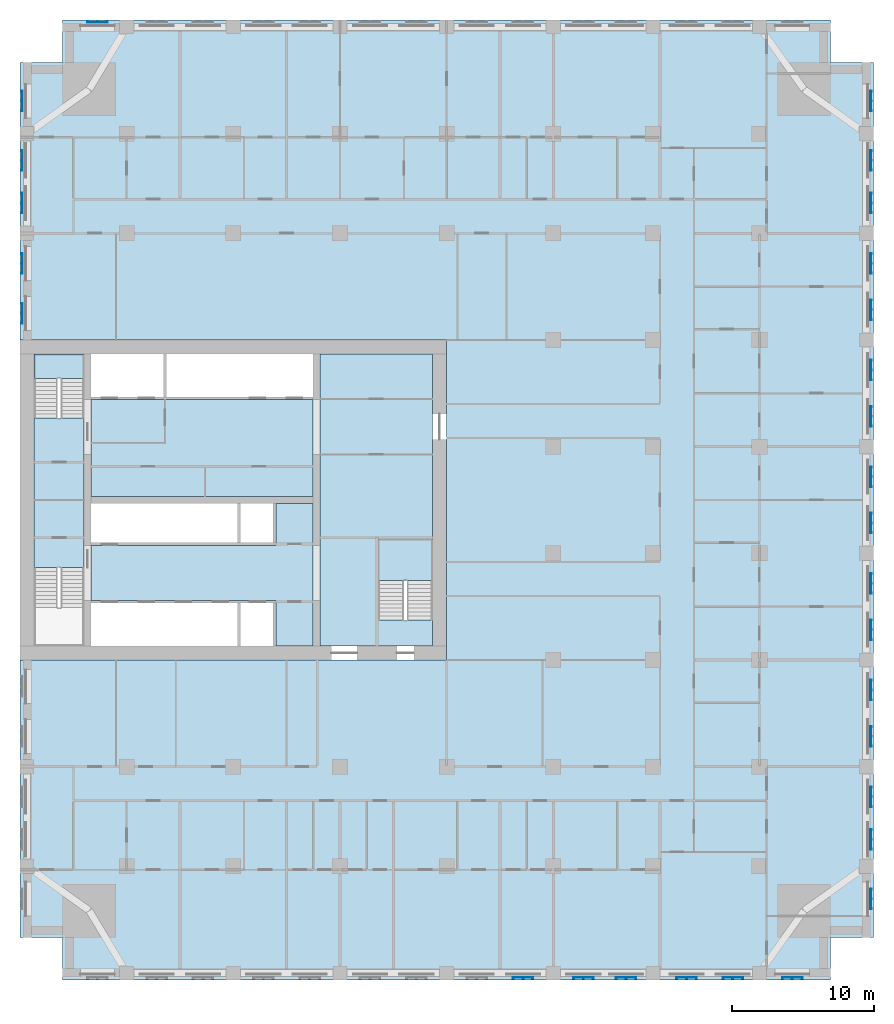
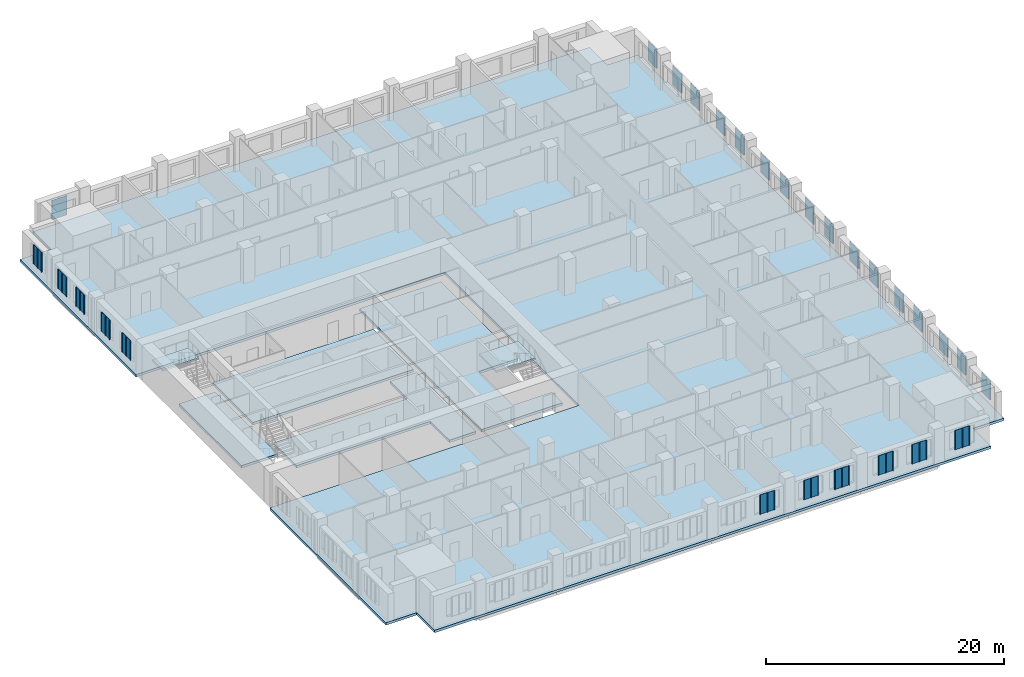
# One storey, part 2 of 14: 28 plates, 7 slabs, 2 elements without a shape of their own.
"""IFC4 building model written with IfcOpenShell, lengths in metres."""

from ifc_helpers import new_model, si_unit, direction, frame, origin, place, context, subcontext, project, spatial, polyline, outline, extrude, material, layer, layer_set, type_object, element, aggregate, save


model = new_model("IFC4")

# Units and contexts
model_context = context("Model", 3, precision=1e-05, world=origin(), true_north=direction((0.0, 1.0)))
body_context = subcontext(model_context, "Body", "Model", "MODEL_VIEW")
ifc_project = project(units=[si_unit("LENGTHUNIT", "METRE"), si_unit("AREAUNIT", "SQUARE_METRE"), si_unit("VOLUMEUNIT", "CUBIC_METRE"), si_unit("PLANEANGLEUNIT", "RADIAN"), si_unit("MASSUNIT", "GRAM", prefix="KILO")], contexts=[model_context])

# Site, building, storey
site_placement = place(None, origin())
site = spatial("IfcSite", under=ifc_project, at=site_placement, CompositionType="ELEMENT")
building_placement = place(site_placement, origin())
building = spatial("IfcBuilding", under=site, at=building_placement, Name="Tamorin Gate", CompositionType="ELEMENT")
storey_placement = place(building_placement, frame((0.0, 0.0, 104.300048828125)))
storey = spatial("IfcBuildingStorey", under=building, at=storey_placement, Name="L25", CompositionType="ELEMENT", Elevation=104.300048828125)

# Slabs
ifc_material_1 = material(Name="Concrete C40/50", Category="concrete")
ifc_layer_1 = layer(ifc_material_1, 0.25)
ifc_layer_set_1 = layer_set([ifc_layer_1], Name="Core floor slab 250 C40/50")
slab_type_1 = type_object("IfcSlabType", Name="Core floor slab 250 C40/50", PredefinedType="FLOOR", material=ifc_layer_set_1)
slab_1_placement = place(storey_placement, frame((0.0, 0.0, -0.25)))
element("IfcSlab", 1, at=slab_1_placement, inside=storey, type_object=slab_type_1, Name="Core floor L25", PredefinedType="FLOOR", context=body_context, shape_type="SweptSolid", body=[
    extrude(outline(polyline([(59.0, 62.800048828125), (59.0, 61.0), (51.10009765625, 61.0), (51.10009765625, 81.5), (59.0, 81.5), (59.0, 68.5), (55.199951171875, 68.5), (55.199951171875, 62.800048828125), (59.0, 62.800048828125)])), origin(), (0.0, 0.0, 1.0), 0.25),
])
slab_2_placement = place(storey_placement, frame((0.0, 0.0, -0.25)))
element("IfcSlab", 2, at=slab_2_placement, inside=storey, type_object=slab_type_1, Name="Core floor L25", PredefinedType="FLOOR", context=body_context, shape_type="SweptSolid", body=[
    extrude(outline(polyline([(50.60009765625, 61.0), (48.0, 61.0), (48.0, 64.199951171875), (35.0, 64.199951171875), (35.0, 68.050048828125), (48.0, 68.050048828125), (48.0, 71.0), (50.60009765625, 71.0), (50.60009765625, 61.0)])), origin(), (0.0, 0.0, 1.0), 0.25),
])
slab_3_placement = place(storey_placement, frame((0.0, 0.0, -0.25)))
element("IfcSlab", 3, at=slab_3_placement, inside=storey, type_object=slab_type_1, Name="Core floor L25", PredefinedType="FLOOR", context=body_context, shape_type="SweptSolid", body=[
    extrude(outline(polyline([(50.60009765625, 71.5), (35.0, 71.5), (35.0, 78.300048828125), (50.60009765625, 78.300048828125), (50.60009765625, 71.5)])), origin(), (0.0, 0.0, 1.0), 0.25),
])
slab_4_placement = place(storey_placement, frame((0.0, 0.0, -0.25)))
element("IfcSlab", 4, at=slab_4_placement, inside=storey, type_object=slab_type_1, Name="Core floor L25", PredefinedType="FLOOR", context=body_context, shape_type="SweptSolid", body=[
    extrude(outline(polyline([(31.0, 66.5), (31.0, 77.0), (34.5, 77.0), (34.5, 66.5), (31.0, 66.5)])), origin(), (0.0, 0.0, 1.0), 0.25),
])

# Stair, slab
stair_type = type_object("IfcStairType", Name="Exit stair", PredefinedType="HALF_TURN_STAIR", material=ifc_material_1)
stair_1_placement = place(storey_placement, origin())
stair_1 = element("IfcStair", 5, at=stair_1_placement, inside=storey, type_object=stair_type, Name="L25 stair ST2", PredefinedType="HALF_TURN_STAIR")
ifc_layer_2 = layer(ifc_material_1, 0.199951171875)
ifc_layer_set_2 = layer_set([ifc_layer_2], Name="Exit stair landing 200")
slab_type_2 = type_object("IfcSlabType", Name="Exit stair landing 200", PredefinedType="LANDING", material=ifc_layer_set_2)
slab_5_placement = place(storey_placement, frame((0.0, 0.0, 1.599853515625)))
slab_5 = element("IfcSlab", 6, at=slab_5_placement, type_object=slab_type_2, Name="ST2 landing 1", PredefinedType="LANDING", context=body_context, shape_type="SweptSolid", body=[
    extrude(outline(polyline([(34.5, 79.800048828125), (34.5, 81.5), (31.0, 81.5), (31.0, 79.800048828125), (34.5, 79.800048828125)])), origin(), (0.0, 0.0, 1.0), 0.2001953125),
])
aggregate(stair_1, [slab_5])

stair_2_placement = place(storey_placement, origin())
stair_2 = element("IfcStair", 7, at=stair_2_placement, inside=storey, type_object=stair_type, Name="L25 stair ST3", PredefinedType="HALF_TURN_STAIR")
slab_6_placement = place(storey_placement, frame((0.0, 0.0, 1.599853515625)))
slab_6 = element("IfcSlab", 8, at=slab_6_placement, type_object=slab_type_2, Name="ST3 landing 1", PredefinedType="LANDING", context=body_context, shape_type="SweptSolid", body=[
    extrude(outline(polyline([(59.0, 65.60009765625), (59.0, 68.5), (55.199951171875, 68.5), (55.199951171875, 65.60009765625), (59.0, 65.60009765625)])), origin(), (0.0, 0.0, 1.0), 0.2001953125),
])
aggregate(stair_2, [slab_6])

# Slab
ifc_layer_3 = layer(ifc_material_1, 0.25)
ifc_layer_set_3 = layer_set([ifc_layer_3], Name="Floor slab 250 C40/50")
slab_type_3 = type_object("IfcSlabType", Name="Floor slab 250 C40/50", PredefinedType="FLOOR", material=ifc_layer_set_3)
slab_7_placement = place(storey_placement, frame((0.0, 0.0, -0.25)))
element("IfcSlab", 9, at=slab_7_placement, inside=storey, type_object=slab_type_3, Name="Floor L25", PredefinedType="FLOOR", context=body_context, shape_type="SweptSolid", body=[
    extrude(outline(polyline([(30.0, 102.0), (33.0, 102.0), (33.0, 105.0), (87.0, 105.0), (87.0, 102.0), (90.0, 102.0), (90.0, 40.5), (87.0, 40.5), (87.0, 37.5), (33.0, 37.5), (33.0, 40.5), (30.0, 40.5), (30.0, 60.0), (60.0, 60.0), (60.0, 82.5), (30.0, 82.5), (30.0, 102.0)])), origin(), (0.0, 0.0, 1.0), 0.25),
])

# Plates
ifc_material_2 = material(Name="Perforated pale aluminium sheet", Category="aluminium")
ifc_layer_4 = layer(ifc_material_2, 0.0400390625)
ifc_layer_set_4 = layer_set([ifc_layer_4], Name="Pale metal solar screen 1440")
plate_type = type_object("IfcPlateType", Name="Pale metal solar screen 1440", PredefinedType="SHEET", material=ifc_layer_set_4)
plate_1_placement = place(storey_placement, frame((0.0, 0.0, 0.7099609375)))
element("IfcPlate", 10, at=plate_1_placement, inside=storey, type_object=plate_type, Name="Perforated solar screen", PredefinedType="SHEET", context=body_context, shape_type="SweptSolid", body=[
    extrude(outline(polyline([(64.655029296875, 37.659912109375), (64.655029296875, 37.699951171875), (64.715087890625, 37.699951171875), (65.344970703125, 37.699951171875), (65.405029296875, 37.699951171875), (66.034912109375, 37.699951171875), (66.094970703125, 37.699951171875), (66.094970703125, 37.659912109375), (66.094970703125, 37.60009765625), (66.034912109375, 37.60009765625), (66.034912109375, 37.659912109375), (65.405029296875, 37.659912109375), (65.405029296875, 37.60009765625), (65.344970703125, 37.60009765625), (65.344970703125, 37.659912109375), (64.715087890625, 37.659912109375), (64.715087890625, 37.60009765625), (64.655029296875, 37.60009765625), (64.655029296875, 37.659912109375)])), origin(), (0.0, 0.0, 1.0), 1.97998046875),
])
plate_2_placement = place(storey_placement, frame((0.0, 0.0, 0.7099609375)))
element("IfcPlate", 11, at=plate_2_placement, inside=storey, type_object=plate_type, Name="Perforated solar screen", PredefinedType="SHEET", context=body_context, shape_type="SweptSolid", body=[
    extrude(outline(polyline([(68.905029296875, 37.659912109375), (68.905029296875, 37.699951171875), (68.965087890625, 37.699951171875), (69.594970703125, 37.699951171875), (69.655029296875, 37.699951171875), (70.284912109375, 37.699951171875), (70.344970703125, 37.699951171875), (70.344970703125, 37.659912109375), (70.344970703125, 37.60009765625), (70.284912109375, 37.60009765625), (70.284912109375, 37.659912109375), (69.655029296875, 37.659912109375), (69.655029296875, 37.60009765625), (69.594970703125, 37.60009765625), (69.594970703125, 37.659912109375), (68.965087890625, 37.659912109375), (68.965087890625, 37.60009765625), (68.905029296875, 37.60009765625), (68.905029296875, 37.659912109375)])), origin(), (0.0, 0.0, 1.0), 1.97998046875),
])
plate_3_placement = place(storey_placement, frame((0.0, 0.0, 0.7099609375)))
element("IfcPlate", 12, at=plate_3_placement, inside=storey, type_object=plate_type, Name="Perforated solar screen", PredefinedType="SHEET", context=body_context, shape_type="SweptSolid", body=[
    extrude(outline(polyline([(71.905029296875, 37.659912109375), (71.905029296875, 37.699951171875), (71.965087890625, 37.699951171875), (72.594970703125, 37.699951171875), (72.655029296875, 37.699951171875), (73.284912109375, 37.699951171875), (73.344970703125, 37.699951171875), (73.344970703125, 37.659912109375), (73.344970703125, 37.60009765625), (73.284912109375, 37.60009765625), (73.284912109375, 37.659912109375), (72.655029296875, 37.659912109375), (72.655029296875, 37.60009765625), (72.594970703125, 37.60009765625), (72.594970703125, 37.659912109375), (71.965087890625, 37.659912109375), (71.965087890625, 37.60009765625), (71.905029296875, 37.60009765625), (71.905029296875, 37.659912109375)])), origin(), (0.0, 0.0, 1.0), 1.97998046875),
])
plate_4_placement = place(storey_placement, frame((0.0, 0.0, 0.7099609375)))
element("IfcPlate", 13, at=plate_4_placement, inside=storey, type_object=plate_type, Name="Perforated solar screen", PredefinedType="SHEET", context=body_context, shape_type="SweptSolid", body=[
    extrude(outline(polyline([(76.155029296875, 37.659912109375), (76.155029296875, 37.699951171875), (76.215087890625, 37.699951171875), (76.844970703125, 37.699951171875), (76.905029296875, 37.699951171875), (77.534912109375, 37.699951171875), (77.594970703125, 37.699951171875), (77.594970703125, 37.659912109375), (77.594970703125, 37.60009765625), (77.534912109375, 37.60009765625), (77.534912109375, 37.659912109375), (76.905029296875, 37.659912109375), (76.905029296875, 37.60009765625), (76.844970703125, 37.60009765625), (76.844970703125, 37.659912109375), (76.215087890625, 37.659912109375), (76.215087890625, 37.60009765625), (76.155029296875, 37.60009765625), (76.155029296875, 37.659912109375)])), origin(), (0.0, 0.0, 1.0), 1.97998046875),
])
plate_5_placement = place(storey_placement, frame((0.0, 0.0, 0.7099609375)))
element("IfcPlate", 14, at=plate_5_placement, inside=storey, type_object=plate_type, Name="Perforated solar screen", PredefinedType="SHEET", context=body_context, shape_type="SweptSolid", body=[
    extrude(outline(polyline([(79.405029296875, 37.659912109375), (79.405029296875, 37.699951171875), (79.465087890625, 37.699951171875), (80.094970703125, 37.699951171875), (80.155029296875, 37.699951171875), (80.784912109375, 37.699951171875), (80.844970703125, 37.699951171875), (80.844970703125, 37.659912109375), (80.844970703125, 37.60009765625), (80.784912109375, 37.60009765625), (80.784912109375, 37.659912109375), (80.155029296875, 37.659912109375), (80.155029296875, 37.60009765625), (80.094970703125, 37.60009765625), (80.094970703125, 37.659912109375), (79.465087890625, 37.659912109375), (79.465087890625, 37.60009765625), (79.405029296875, 37.60009765625), (79.405029296875, 37.659912109375)])), origin(), (0.0, 0.0, 1.0), 1.97998046875),
])
plate_6_placement = place(storey_placement, frame((0.0, 0.0, 0.7099609375)))
element("IfcPlate", 15, at=plate_6_placement, inside=storey, type_object=plate_type, Name="Perforated solar screen", PredefinedType="SHEET", context=body_context, shape_type="SweptSolid", body=[
    extrude(outline(polyline([(83.580078125, 37.659912109375), (83.580078125, 37.699951171875), (83.639892578125, 37.699951171875), (84.27001953125, 37.699951171875), (84.330078125, 37.699951171875), (84.9599609375, 37.699951171875), (85.02001953125, 37.699951171875), (85.02001953125, 37.659912109375), (85.02001953125, 37.60009765625), (84.9599609375, 37.60009765625), (84.9599609375, 37.659912109375), (84.330078125, 37.659912109375), (84.330078125, 37.60009765625), (84.27001953125, 37.60009765625), (84.27001953125, 37.659912109375), (83.639892578125, 37.659912109375), (83.639892578125, 37.60009765625), (83.580078125, 37.60009765625), (83.580078125, 37.659912109375)])), origin(), (0.0, 0.0, 1.0), 1.97998046875),
])
plate_7_placement = place(storey_placement, frame((0.0, 0.0, 0.7099609375)))
element("IfcPlate", 16, at=plate_7_placement, inside=storey, type_object=plate_type, Name="Perforated solar screen", PredefinedType="SHEET", context=body_context, shape_type="SweptSolid", body=[
    extrude(outline(polyline([(89.840087890625, 42.47998046875), (89.800048828125, 42.47998046875), (89.800048828125, 42.5400390625), (89.800048828125, 43.169921875), (89.800048828125, 43.22998046875), (89.800048828125, 43.860107421875), (89.800048828125, 43.919921875), (89.840087890625, 43.919921875), (89.89990234375, 43.919921875), (89.89990234375, 43.860107421875), (89.840087890625, 43.860107421875), (89.840087890625, 43.22998046875), (89.89990234375, 43.22998046875), (89.89990234375, 43.169921875), (89.840087890625, 43.169921875), (89.840087890625, 42.5400390625), (89.89990234375, 42.5400390625), (89.89990234375, 42.47998046875), (89.840087890625, 42.47998046875)])), origin(), (0.0, 0.0, 1.0), 1.97998046875),
])
plate_8_placement = place(storey_placement, frame((0.0, 0.0, 0.7099609375)))
element("IfcPlate", 17, at=plate_8_placement, inside=storey, type_object=plate_type, Name="Perforated solar screen", PredefinedType="SHEET", context=body_context, shape_type="SweptSolid", body=[
    extrude(outline(polyline([(89.840087890625, 46.655029296875), (89.800048828125, 46.655029296875), (89.800048828125, 46.715087890625), (89.800048828125, 47.344970703125), (89.800048828125, 47.405029296875), (89.800048828125, 48.034912109375), (89.800048828125, 48.094970703125), (89.800048828125, 48.094970703125), (89.840087890625, 48.094970703125), (89.840087890625, 48.094970703125), (89.89990234375, 48.094970703125), (89.89990234375, 48.034912109375), (89.840087890625, 48.034912109375), (89.840087890625, 47.405029296875), (89.89990234375, 47.405029296875), (89.89990234375, 47.344970703125), (89.840087890625, 47.344970703125), (89.840087890625, 46.715087890625), (89.89990234375, 46.715087890625), (89.89990234375, 46.655029296875), (89.840087890625, 46.655029296875)])), origin(), (0.0, 0.0, 1.0), 1.97998046875),
])
plate_9_placement = place(storey_placement, frame((0.0, 0.0, 0.7099609375)))
element("IfcPlate", 18, at=plate_9_placement, inside=storey, type_object=plate_type, Name="Perforated solar screen", PredefinedType="SHEET", context=body_context, shape_type="SweptSolid", body=[
    extrude(outline(polyline([(89.840087890625, 49.655029296875), (89.800048828125, 49.655029296875), (89.800048828125, 49.715087890625), (89.800048828125, 50.344970703125), (89.800048828125, 50.405029296875), (89.800048828125, 51.034912109375), (89.800048828125, 51.094970703125), (89.840087890625, 51.094970703125), (89.89990234375, 51.094970703125), (89.89990234375, 51.034912109375), (89.840087890625, 51.034912109375), (89.840087890625, 50.405029296875), (89.89990234375, 50.405029296875), (89.89990234375, 50.344970703125), (89.840087890625, 50.344970703125), (89.840087890625, 49.715087890625), (89.89990234375, 49.715087890625), (89.89990234375, 49.655029296875), (89.840087890625, 49.655029296875)])), origin(), (0.0, 0.0, 1.0), 1.97998046875),
])
plate_10_placement = place(storey_placement, frame((0.0, 0.0, 0.7099609375)))
element("IfcPlate", 19, at=plate_10_placement, inside=storey, type_object=plate_type, Name="Perforated solar screen", PredefinedType="SHEET", context=body_context, shape_type="SweptSolid", body=[
    extrude(outline(polyline([(89.840087890625, 53.905029296875), (89.800048828125, 53.905029296875), (89.800048828125, 53.965087890625), (89.800048828125, 54.594970703125), (89.800048828125, 54.655029296875), (89.800048828125, 55.284912109375), (89.800048828125, 55.344970703125), (89.840087890625, 55.344970703125), (89.89990234375, 55.344970703125), (89.89990234375, 55.284912109375), (89.840087890625, 55.284912109375), (89.840087890625, 54.655029296875), (89.89990234375, 54.655029296875), (89.89990234375, 54.594970703125), (89.840087890625, 54.594970703125), (89.840087890625, 53.965087890625), (89.89990234375, 53.965087890625), (89.89990234375, 53.905029296875), (89.840087890625, 53.905029296875)])), origin(), (0.0, 0.0, 1.0), 1.97998046875),
])
plate_11_placement = place(storey_placement, frame((0.0, 0.0, 0.7099609375)))
element("IfcPlate", 20, at=plate_11_placement, inside=storey, type_object=plate_type, Name="Perforated solar screen", PredefinedType="SHEET", context=body_context, shape_type="SweptSolid", body=[
    extrude(outline(polyline([(89.840087890625, 57.155029296875), (89.800048828125, 57.155029296875), (89.800048828125, 57.215087890625), (89.800048828125, 57.844970703125), (89.800048828125, 57.905029296875), (89.800048828125, 58.534912109375), (89.800048828125, 58.594970703125), (89.840087890625, 58.594970703125), (89.89990234375, 58.594970703125), (89.89990234375, 58.534912109375), (89.840087890625, 58.534912109375), (89.840087890625, 57.905029296875), (89.89990234375, 57.905029296875), (89.89990234375, 57.844970703125), (89.840087890625, 57.844970703125), (89.840087890625, 57.215087890625), (89.89990234375, 57.215087890625), (89.89990234375, 57.155029296875), (89.840087890625, 57.155029296875)])), origin(), (0.0, 0.0, 1.0), 1.97998046875),
])
plate_12_placement = place(storey_placement, frame((0.0, 0.0, 0.7099609375)))
element("IfcPlate", 21, at=plate_12_placement, inside=storey, type_object=plate_type, Name="Perforated solar screen", PredefinedType="SHEET", context=body_context, shape_type="SweptSolid", body=[
    extrude(outline(polyline([(89.840087890625, 61.405029296875), (89.800048828125, 61.405029296875), (89.800048828125, 61.465087890625), (89.800048828125, 62.094970703125), (89.800048828125, 62.155029296875), (89.800048828125, 62.784912109375), (89.800048828125, 62.844970703125), (89.840087890625, 62.844970703125), (89.89990234375, 62.844970703125), (89.89990234375, 62.784912109375), (89.840087890625, 62.784912109375), (89.840087890625, 62.155029296875), (89.89990234375, 62.155029296875), (89.89990234375, 62.094970703125), (89.840087890625, 62.094970703125), (89.840087890625, 61.465087890625), (89.89990234375, 61.465087890625), (89.89990234375, 61.405029296875), (89.840087890625, 61.405029296875)])), origin(), (0.0, 0.0, 1.0), 1.97998046875),
])
plate_13_placement = place(storey_placement, frame((0.0, 0.0, 0.7099609375)))
element("IfcPlate", 22, at=plate_13_placement, inside=storey, type_object=plate_type, Name="Perforated solar screen", PredefinedType="SHEET", context=body_context, shape_type="SweptSolid", body=[
    extrude(outline(polyline([(89.840087890625, 64.655029296875), (89.800048828125, 64.655029296875), (89.800048828125, 64.715087890625), (89.800048828125, 65.344970703125), (89.800048828125, 65.405029296875), (89.800048828125, 66.034912109375), (89.800048828125, 66.094970703125), (89.840087890625, 66.094970703125), (89.89990234375, 66.094970703125), (89.89990234375, 66.034912109375), (89.840087890625, 66.034912109375), (89.840087890625, 65.405029296875), (89.89990234375, 65.405029296875), (89.89990234375, 65.344970703125), (89.840087890625, 65.344970703125), (89.840087890625, 64.715087890625), (89.89990234375, 64.715087890625), (89.89990234375, 64.655029296875), (89.840087890625, 64.655029296875)])), origin(), (0.0, 0.0, 1.0), 1.97998046875),
])
plate_14_placement = place(storey_placement, frame((0.0, 0.0, 0.7099609375)))
element("IfcPlate", 23, at=plate_14_placement, inside=storey, type_object=plate_type, Name="Perforated solar screen", PredefinedType="SHEET", context=body_context, shape_type="SweptSolid", body=[
    extrude(outline(polyline([(89.840087890625, 68.905029296875), (89.800048828125, 68.905029296875), (89.800048828125, 68.965087890625), (89.800048828125, 69.594970703125), (89.800048828125, 69.655029296875), (89.800048828125, 70.284912109375), (89.800048828125, 70.344970703125), (89.840087890625, 70.344970703125), (89.89990234375, 70.344970703125), (89.89990234375, 70.284912109375), (89.840087890625, 70.284912109375), (89.840087890625, 69.655029296875), (89.89990234375, 69.655029296875), (89.89990234375, 69.594970703125), (89.840087890625, 69.594970703125), (89.840087890625, 68.965087890625), (89.89990234375, 68.965087890625), (89.89990234375, 68.905029296875), (89.840087890625, 68.905029296875)])), origin(), (0.0, 0.0, 1.0), 1.97998046875),
])
plate_15_placement = place(storey_placement, frame((0.0, 0.0, 0.7099609375)))
element("IfcPlate", 24, at=plate_15_placement, inside=storey, type_object=plate_type, Name="Perforated solar screen", PredefinedType="SHEET", context=body_context, shape_type="SweptSolid", body=[
    extrude(outline(polyline([(89.840087890625, 72.155029296875), (89.800048828125, 72.155029296875), (89.800048828125, 72.215087890625), (89.800048828125, 72.844970703125), (89.800048828125, 72.905029296875), (89.800048828125, 73.534912109375), (89.800048828125, 73.594970703125), (89.840087890625, 73.594970703125), (89.89990234375, 73.594970703125), (89.89990234375, 73.534912109375), (89.840087890625, 73.534912109375), (89.840087890625, 72.905029296875), (89.89990234375, 72.905029296875), (89.89990234375, 72.844970703125), (89.840087890625, 72.844970703125), (89.840087890625, 72.215087890625), (89.89990234375, 72.215087890625), (89.89990234375, 72.155029296875), (89.840087890625, 72.155029296875)])), origin(), (0.0, 0.0, 1.0), 1.97998046875),
])
plate_16_placement = place(storey_placement, frame((0.0, 0.0, 0.7099609375)))
element("IfcPlate", 25, at=plate_16_placement, inside=storey, type_object=plate_type, Name="Perforated solar screen", PredefinedType="SHEET", context=body_context, shape_type="SweptSolid", body=[
    extrude(outline(polyline([(89.840087890625, 76.405029296875), (89.800048828125, 76.405029296875), (89.800048828125, 76.465087890625), (89.800048828125, 77.094970703125), (89.800048828125, 77.155029296875), (89.800048828125, 77.784912109375), (89.800048828125, 77.844970703125), (89.840087890625, 77.844970703125), (89.89990234375, 77.844970703125), (89.89990234375, 77.784912109375), (89.840087890625, 77.784912109375), (89.840087890625, 77.155029296875), (89.89990234375, 77.155029296875), (89.89990234375, 77.094970703125), (89.840087890625, 77.094970703125), (89.840087890625, 76.465087890625), (89.89990234375, 76.465087890625), (89.89990234375, 76.405029296875), (89.840087890625, 76.405029296875)])), origin(), (0.0, 0.0, 1.0), 1.97998046875),
])
plate_17_placement = place(storey_placement, frame((0.0, 0.0, 0.7099609375)))
element("IfcPlate", 26, at=plate_17_placement, inside=storey, type_object=plate_type, Name="Perforated solar screen", PredefinedType="SHEET", context=body_context, shape_type="SweptSolid", body=[
    extrude(outline(polyline([(89.840087890625, 79.655029296875), (89.800048828125, 79.655029296875), (89.800048828125, 79.715087890625), (89.800048828125, 80.344970703125), (89.800048828125, 80.405029296875), (89.800048828125, 81.034912109375), (89.800048828125, 81.094970703125), (89.840087890625, 81.094970703125), (89.89990234375, 81.094970703125), (89.89990234375, 81.034912109375), (89.840087890625, 81.034912109375), (89.840087890625, 80.405029296875), (89.89990234375, 80.405029296875), (89.89990234375, 80.344970703125), (89.840087890625, 80.344970703125), (89.840087890625, 79.715087890625), (89.89990234375, 79.715087890625), (89.89990234375, 79.655029296875), (89.840087890625, 79.655029296875)])), origin(), (0.0, 0.0, 1.0), 1.97998046875),
])
plate_18_placement = place(storey_placement, frame((0.0, 0.0, 0.7099609375)))
element("IfcPlate", 27, at=plate_18_placement, inside=storey, type_object=plate_type, Name="Perforated solar screen", PredefinedType="SHEET", context=body_context, shape_type="SweptSolid", body=[
    extrude(outline(polyline([(89.840087890625, 83.905029296875), (89.800048828125, 83.905029296875), (89.800048828125, 83.965087890625), (89.800048828125, 84.594970703125), (89.800048828125, 84.655029296875), (89.800048828125, 85.284912109375), (89.800048828125, 85.344970703125), (89.840087890625, 85.344970703125), (89.89990234375, 85.344970703125), (89.89990234375, 85.284912109375), (89.840087890625, 85.284912109375), (89.840087890625, 84.655029296875), (89.89990234375, 84.655029296875), (89.89990234375, 84.594970703125), (89.840087890625, 84.594970703125), (89.840087890625, 83.965087890625), (89.89990234375, 83.965087890625), (89.89990234375, 83.905029296875), (89.840087890625, 83.905029296875)])), origin(), (0.0, 0.0, 1.0), 1.97998046875),
])
plate_19_placement = place(storey_placement, frame((0.0, 0.0, 0.7099609375)))
element("IfcPlate", 28, at=plate_19_placement, inside=storey, type_object=plate_type, Name="Perforated solar screen", PredefinedType="SHEET", context=body_context, shape_type="SweptSolid", body=[
    extrude(outline(polyline([(89.840087890625, 87.155029296875), (89.800048828125, 87.155029296875), (89.800048828125, 87.215087890625), (89.800048828125, 87.844970703125), (89.800048828125, 87.905029296875), (89.800048828125, 88.534912109375), (89.800048828125, 88.594970703125), (89.840087890625, 88.594970703125), (89.89990234375, 88.594970703125), (89.89990234375, 88.534912109375), (89.840087890625, 88.534912109375), (89.840087890625, 87.905029296875), (89.89990234375, 87.905029296875), (89.89990234375, 87.844970703125), (89.840087890625, 87.844970703125), (89.840087890625, 87.215087890625), (89.89990234375, 87.215087890625), (89.89990234375, 87.155029296875), (89.840087890625, 87.155029296875)])), origin(), (0.0, 0.0, 1.0), 1.97998046875),
])
plate_20_placement = place(storey_placement, frame((0.0, 0.0, 0.7099609375)))
element("IfcPlate", 29, at=plate_20_placement, inside=storey, type_object=plate_type, Name="Perforated solar screen", PredefinedType="SHEET", context=body_context, shape_type="SweptSolid", body=[
    extrude(outline(polyline([(89.840087890625, 91.405029296875), (89.800048828125, 91.405029296875), (89.800048828125, 91.465087890625), (89.800048828125, 92.094970703125), (89.800048828125, 92.155029296875), (89.800048828125, 92.784912109375), (89.800048828125, 92.844970703125), (89.840087890625, 92.844970703125), (89.89990234375, 92.844970703125), (89.89990234375, 92.784912109375), (89.840087890625, 92.784912109375), (89.840087890625, 92.155029296875), (89.89990234375, 92.155029296875), (89.89990234375, 92.094970703125), (89.840087890625, 92.094970703125), (89.840087890625, 91.465087890625), (89.89990234375, 91.465087890625), (89.89990234375, 91.405029296875), (89.840087890625, 91.405029296875)])), origin(), (0.0, 0.0, 1.0), 1.97998046875),
])
plate_21_placement = place(storey_placement, frame((0.0, 0.0, 0.7099609375)))
element("IfcPlate", 30, at=plate_21_placement, inside=storey, type_object=plate_type, Name="Perforated solar screen", PredefinedType="SHEET", context=body_context, shape_type="SweptSolid", body=[
    extrude(outline(polyline([(89.840087890625, 94.405029296875), (89.800048828125, 94.405029296875), (89.800048828125, 94.465087890625), (89.800048828125, 95.094970703125), (89.800048828125, 95.155029296875), (89.800048828125, 95.784912109375), (89.800048828125, 95.844970703125), (89.840087890625, 95.844970703125), (89.89990234375, 95.844970703125), (89.89990234375, 95.784912109375), (89.840087890625, 95.784912109375), (89.840087890625, 95.155029296875), (89.89990234375, 95.155029296875), (89.89990234375, 95.094970703125), (89.840087890625, 95.094970703125), (89.840087890625, 94.465087890625), (89.89990234375, 94.465087890625), (89.89990234375, 94.405029296875), (89.840087890625, 94.405029296875)])), origin(), (0.0, 0.0, 1.0), 1.97998046875),
])
plate_22_placement = place(storey_placement, frame((0.0, 0.0, 0.7099609375)))
element("IfcPlate", 31, at=plate_22_placement, inside=storey, type_object=plate_type, Name="Perforated solar screen", PredefinedType="SHEET", context=body_context, shape_type="SweptSolid", body=[
    extrude(outline(polyline([(89.840087890625, 98.580078125), (89.800048828125, 98.580078125), (89.800048828125, 98.639892578125), (89.800048828125, 99.27001953125), (89.800048828125, 99.330078125), (89.800048828125, 99.9599609375), (89.800048828125, 100.02001953125), (89.840087890625, 100.02001953125), (89.89990234375, 100.02001953125), (89.89990234375, 99.9599609375), (89.840087890625, 99.9599609375), (89.840087890625, 99.330078125), (89.89990234375, 99.330078125), (89.89990234375, 99.27001953125), (89.840087890625, 99.27001953125), (89.840087890625, 98.639892578125), (89.89990234375, 98.639892578125), (89.89990234375, 98.580078125), (89.840087890625, 98.580078125)])), origin(), (0.0, 0.0, 1.0), 1.97998046875),
])
plate_23_placement = place(storey_placement, frame((0.0, 0.0, 0.7099609375)))
element("IfcPlate", 32, at=plate_23_placement, inside=storey, type_object=plate_type, Name="Perforated solar screen", PredefinedType="SHEET", context=body_context, shape_type="SweptSolid", body=[
    extrude(outline(polyline([(36.169921875, 104.840087890625), (36.169921875, 104.800048828125), (36.110107421875, 104.800048828125), (35.47998046875, 104.800048828125), (35.419921875, 104.800048828125), (34.7900390625, 104.800048828125), (34.72998046875, 104.800048828125), (34.72998046875, 104.840087890625), (34.72998046875, 104.89990234375), (34.7900390625, 104.89990234375), (34.7900390625, 104.840087890625), (35.419921875, 104.840087890625), (35.419921875, 104.89990234375), (35.47998046875, 104.89990234375), (35.47998046875, 104.840087890625), (36.110107421875, 104.840087890625), (36.110107421875, 104.89990234375), (36.169921875, 104.89990234375), (36.169921875, 104.840087890625)])), origin(), (0.0, 0.0, 1.0), 1.97998046875),
])
plate_24_placement = place(storey_placement, frame((0.0, 0.0, 0.7099609375)))
element("IfcPlate", 33, at=plate_24_placement, inside=storey, type_object=plate_type, Name="Perforated solar screen", PredefinedType="SHEET", context=body_context, shape_type="SweptSolid", body=[
    extrude(outline(polyline([(30.159912109375, 100.02001953125), (30.199951171875, 100.02001953125), (30.199951171875, 99.9599609375), (30.199951171875, 99.330078125), (30.199951171875, 99.27001953125), (30.199951171875, 98.639892578125), (30.199951171875, 98.580078125), (30.159912109375, 98.580078125), (30.10009765625, 98.580078125), (30.10009765625, 98.639892578125), (30.159912109375, 98.639892578125), (30.159912109375, 99.27001953125), (30.10009765625, 99.27001953125), (30.10009765625, 99.330078125), (30.159912109375, 99.330078125), (30.159912109375, 99.9599609375), (30.10009765625, 99.9599609375), (30.10009765625, 100.02001953125), (30.159912109375, 100.02001953125)])), origin(), (0.0, 0.0, 1.0), 1.97998046875),
])
plate_25_placement = place(storey_placement, frame((0.0, 0.0, 0.7099609375)))
element("IfcPlate", 34, at=plate_25_placement, inside=storey, type_object=plate_type, Name="Perforated solar screen", PredefinedType="SHEET", context=body_context, shape_type="SweptSolid", body=[
    extrude(outline(polyline([(30.159912109375, 92.844970703125), (30.199951171875, 92.844970703125), (30.199951171875, 92.784912109375), (30.199951171875, 92.155029296875), (30.199951171875, 92.094970703125), (30.199951171875, 91.465087890625), (30.199951171875, 91.405029296875), (30.159912109375, 91.405029296875), (30.10009765625, 91.405029296875), (30.10009765625, 91.465087890625), (30.159912109375, 91.465087890625), (30.159912109375, 92.094970703125), (30.10009765625, 92.094970703125), (30.10009765625, 92.155029296875), (30.159912109375, 92.155029296875), (30.159912109375, 92.784912109375), (30.10009765625, 92.784912109375), (30.10009765625, 92.844970703125), (30.159912109375, 92.844970703125)])), origin(), (0.0, 0.0, 1.0), 1.97998046875),
])
plate_26_placement = place(storey_placement, frame((0.0, 0.0, 0.7099609375)))
element("IfcPlate", 35, at=plate_26_placement, inside=storey, type_object=plate_type, Name="Perforated solar screen", PredefinedType="SHEET", context=body_context, shape_type="SweptSolid", body=[
    extrude(outline(polyline([(30.159912109375, 95.844970703125), (30.199951171875, 95.844970703125), (30.199951171875, 95.784912109375), (30.199951171875, 95.155029296875), (30.199951171875, 95.094970703125), (30.199951171875, 94.465087890625), (30.199951171875, 94.405029296875), (30.199951171875, 94.405029296875), (30.159912109375, 94.405029296875), (30.159912109375, 94.405029296875), (30.10009765625, 94.405029296875), (30.10009765625, 94.465087890625), (30.159912109375, 94.465087890625), (30.159912109375, 95.094970703125), (30.10009765625, 95.094970703125), (30.10009765625, 95.155029296875), (30.159912109375, 95.155029296875), (30.159912109375, 95.784912109375), (30.10009765625, 95.784912109375), (30.10009765625, 95.844970703125), (30.159912109375, 95.844970703125)])), origin(), (0.0, 0.0, 1.0), 1.97998046875),
])
plate_27_placement = place(storey_placement, frame((0.0, 0.0, 0.7099609375)))
element("IfcPlate", 36, at=plate_27_placement, inside=storey, type_object=plate_type, Name="Perforated solar screen", PredefinedType="SHEET", context=body_context, shape_type="SweptSolid", body=[
    extrude(outline(polyline([(30.159912109375, 85.094970703125), (30.199951171875, 85.094970703125), (30.199951171875, 85.034912109375), (30.199951171875, 84.405029296875), (30.199951171875, 84.344970703125), (30.199951171875, 83.715087890625), (30.199951171875, 83.655029296875), (30.159912109375, 83.655029296875), (30.10009765625, 83.655029296875), (30.10009765625, 83.715087890625), (30.159912109375, 83.715087890625), (30.159912109375, 84.344970703125), (30.10009765625, 84.344970703125), (30.10009765625, 84.405029296875), (30.159912109375, 84.405029296875), (30.159912109375, 85.034912109375), (30.10009765625, 85.034912109375), (30.10009765625, 85.094970703125), (30.159912109375, 85.094970703125)])), origin(), (0.0, 0.0, 1.0), 1.97998046875),
])
plate_28_placement = place(storey_placement, frame((0.0, 0.0, 0.7099609375)))
element("IfcPlate", 37, at=plate_28_placement, inside=storey, type_object=plate_type, Name="Perforated solar screen", PredefinedType="SHEET", context=body_context, shape_type="SweptSolid", body=[
    extrude(outline(polyline([(30.159912109375, 88.594970703125), (30.199951171875, 88.594970703125), (30.199951171875, 88.534912109375), (30.199951171875, 87.905029296875), (30.199951171875, 87.844970703125), (30.199951171875, 87.215087890625), (30.199951171875, 87.155029296875), (30.159912109375, 87.155029296875), (30.10009765625, 87.155029296875), (30.10009765625, 87.215087890625), (30.159912109375, 87.215087890625), (30.159912109375, 87.844970703125), (30.10009765625, 87.844970703125), (30.10009765625, 87.905029296875), (30.159912109375, 87.905029296875), (30.159912109375, 88.534912109375), (30.10009765625, 88.534912109375), (30.10009765625, 88.594970703125), (30.159912109375, 88.594970703125)])), origin(), (0.0, 0.0, 1.0), 1.97998046875),
])

save(model, "model.ifc")
